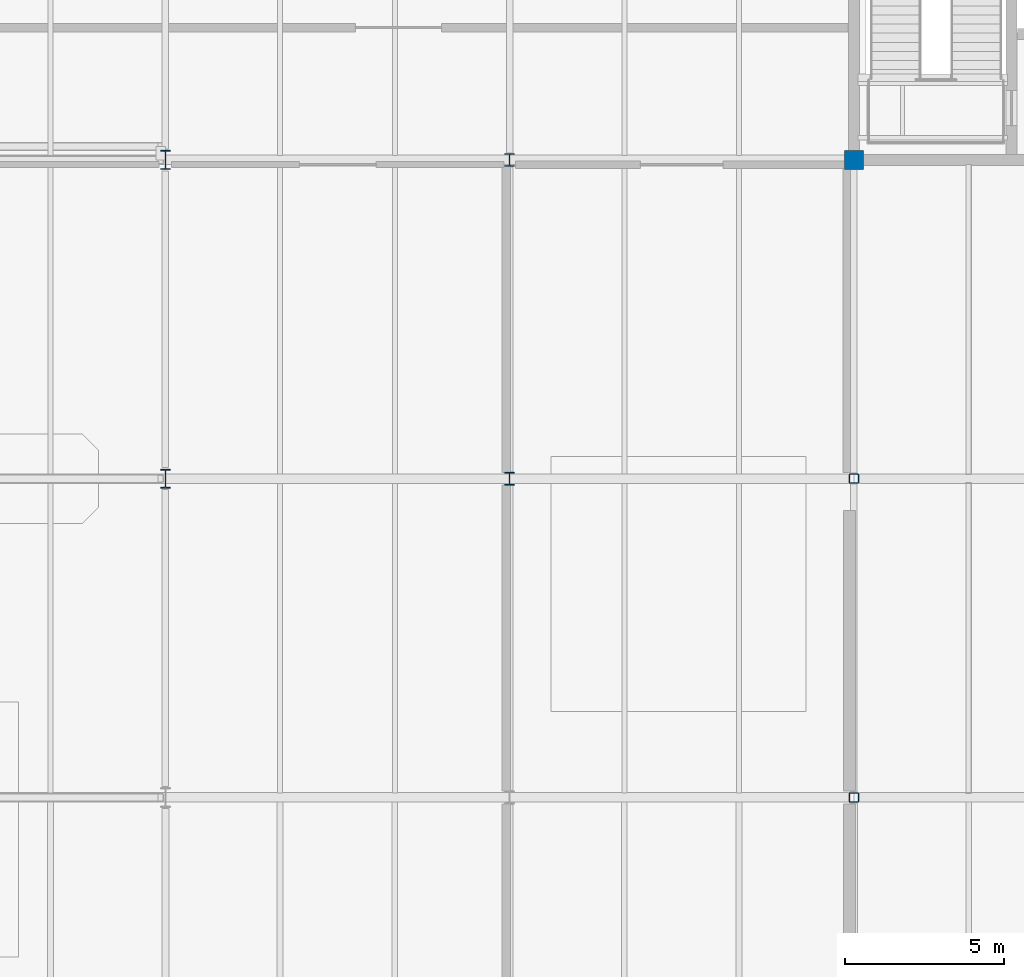
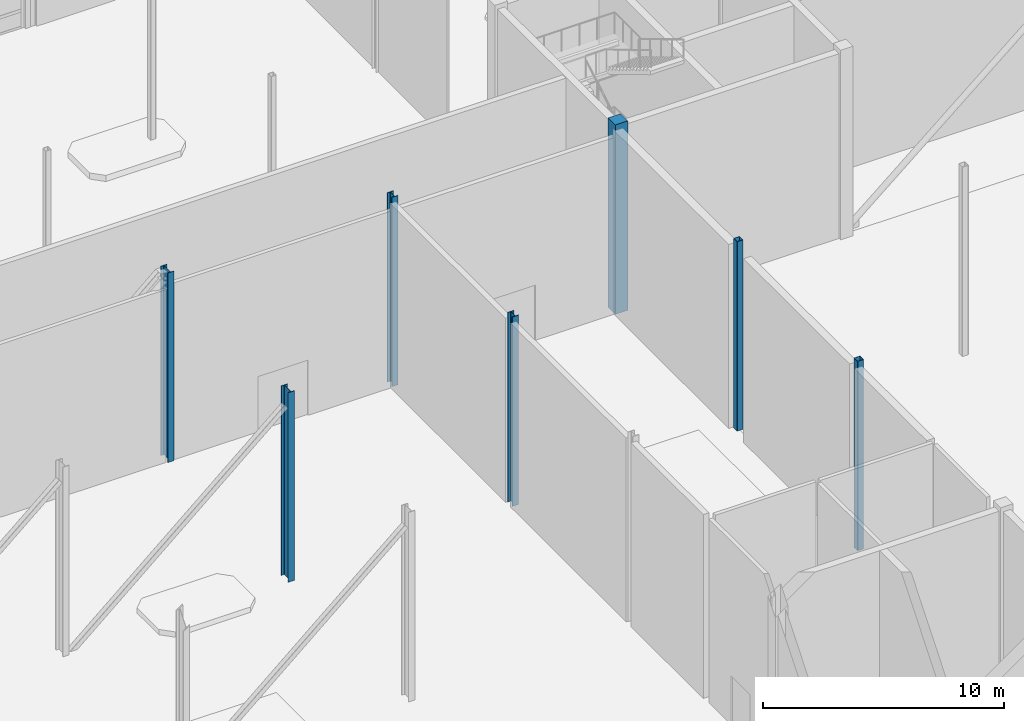
# One storey, part 3 of 100: 7 columns.
"""IFC4 building model written with IfcOpenShell, lengths in metres."""

from ifc_helpers import new_model, si_unit, direction, frame, origin, origin_2d, place, context, subcontext, project, spatial, rectangle, hollow_rectangle, i_section, extrude, material, material_profile, profile_set, type_object, element, save


model = new_model("IFC4")

# Units and contexts
model_context = context("Model", 3, precision=1e-05, world=origin(), true_north=direction((0.0, 1.0)))
body_context = subcontext(model_context, "Body", "Model", "MODEL_VIEW")
ifc_project = project(units=[si_unit("LENGTHUNIT", "METRE"), si_unit("AREAUNIT", "SQUARE_METRE"), si_unit("VOLUMEUNIT", "CUBIC_METRE"), si_unit("PLANEANGLEUNIT", "RADIAN"), si_unit("MASSUNIT", "GRAM", prefix="KILO")], contexts=[model_context])

# Site, building, storey
site_placement = place(None, origin())
site = spatial("IfcSite", under=ifc_project, at=site_placement, CompositionType="ELEMENT")
building_placement = place(site_placement, origin())
building = spatial("IfcBuilding", under=site, at=building_placement, Name="Tasgan Crest Museum", CompositionType="ELEMENT")
storey_placement = place(building_placement, frame((0.0, 0.0, 14.39990234375)))
storey = spatial("IfcBuildingStorey", under=building, at=storey_placement, Name="L03", CompositionType="ELEMENT", Elevation=14.39990234375)

# Columns
ifc_material_1 = material(Name="Steel S355J2", Category="steel")
ifc_material_profile_1 = material_profile(ifc_material_1, i_section(OverallWidth=0.300048828125, OverallDepth=0.39990234375, WebThickness=0.013427734375, FlangeThickness=0.02392578125, FilletRadius=0.027099609375, at=origin_2d()), Name="HEB 400")
ifc_profile_set_1 = profile_set([ifc_material_profile_1], Name="Steel S355J2")
column_type_1 = type_object("IfcColumnType", Name="COL-HEB400", PredefinedType="COLUMN", material=ifc_profile_set_1)
for number, where, z_axis, x_axis, name in (
    (1, (43.199951171875, 72.0, 0.0), (0.0, 0.0, 1.0), (1.0, 0.0, 0.0), "Column 5/H L03"),
    (2, (43.199951171875, 82.0, 0.0), (0.0, 0.0, 1.0), (1.0, 0.0, 0.0), "Column 5/J L03"),
):
    element("IfcColumn", number, at=place(storey_placement, frame(where, z_axis=z_axis, x_axis=x_axis)), inside=storey, type_object=column_type_1, Name=name, PredefinedType="COLUMN", context=body_context, shape_type="SweptSolid", body=[
        extrude(i_section(OverallWidth=0.300048828125, OverallDepth=0.39990234375, WebThickness=0.013427734375, FlangeThickness=0.02392578125, FilletRadius=0.027099609375, at=origin_2d()), origin(), (0.0, 0.0, 1.0), 9.60009765625),
    ])
ifc_material_2 = material(Name="Steel S355K2", Category="steel")
ifc_material_profile_2 = material_profile(ifc_material_2, i_section(OverallWidth=0.300048828125, OverallDepth=0.60009765625, WebThickness=0.015380859375, FlangeThickness=0.030029296875, FilletRadius=0.027099609375, at=origin_2d()), Name="HEB 600")
ifc_profile_set_2 = profile_set([ifc_material_profile_2], Name="Steel S355K2")
column_type_2 = type_object("IfcColumnType", Name="COL-HEB600", PredefinedType="COLUMN", material=ifc_profile_set_2)
for number, where, z_axis, x_axis, name in (
    (3, (32.39990234375, 72.0, 0.0), (0.0, 0.0, 1.0), (1.0, 0.0, 0.0), "Column 4/H L03"),
    (4, (32.39990234375, 82.0, 0.0), (0.0, 0.0, 1.0), (1.0, 0.0, 0.0), "Column 4/J L03"),
):
    element("IfcColumn", number, at=place(storey_placement, frame(where, z_axis=z_axis, x_axis=x_axis)), inside=storey, type_object=column_type_2, Name=name, PredefinedType="COLUMN", context=body_context, shape_type="SweptSolid", body=[
        extrude(i_section(OverallWidth=0.300048828125, OverallDepth=0.60009765625, WebThickness=0.015380859375, FlangeThickness=0.030029296875, FilletRadius=0.027099609375, at=origin_2d()), origin(), (0.0, 0.0, 1.0), 9.60009765625),
    ])
ifc_material_3 = material(Name="Concrete C40/50", Category="concrete")
ifc_material_profile_3 = material_profile(ifc_material_3, rectangle(XDim=0.60009765625, YDim=0.60009765625, at=origin_2d()), Name="RC 600x600")
ifc_profile_set_3 = profile_set([ifc_material_profile_3], Name="Concrete C40/50")
column_type_3 = type_object("IfcColumnType", Name="COL-RC600", PredefinedType="COLUMN", material=ifc_profile_set_3)
column_placement = place(storey_placement, frame((54.0, 82.0, 0.0), z_axis=(0.0, 0.0, 1.0), x_axis=(1.0, 0.0, 0.0)))
element("IfcColumn", 5, at=column_placement, inside=storey, type_object=column_type_3, Name="Column 6/J L03", PredefinedType="COLUMN", context=body_context, shape_type="SweptSolid", body=[
    extrude(rectangle(XDim=0.60009765625, YDim=0.60009765625, at=origin_2d()), origin(), (0.0, 0.0, 1.0), 9.60009765625),
])
ifc_material_4 = material(Name="Steel S355K2", Category="steel")
ifc_material_profile_4 = material_profile(ifc_material_4, hollow_rectangle(XDim=0.300048828125, YDim=0.300048828125, WallThickness=0.01611328125, InnerFilletRadius=0.01611328125, OuterFilletRadius=0.031982421875, at=origin_2d()), Name="SHS 300x300x16")
ifc_profile_set_4 = profile_set([ifc_material_profile_4], Name="Steel S355K2")
column_type_4 = type_object("IfcColumnType", Name="COL-SHS300", PredefinedType="COLUMN", material=ifc_profile_set_4)
for number, where, z_axis, x_axis, name in (
    (6, (54.0, 62.0, 0.0), (0.0, 0.0, 1.0), (1.0, 0.0, 0.0), "Column 6/G L03"),
    (7, (54.0, 72.0, 0.0), (0.0, 0.0, 1.0), (1.0, 0.0, 0.0), "Column 6/H L03"),
):
    element("IfcColumn", number, at=place(storey_placement, frame(where, z_axis=z_axis, x_axis=x_axis)), inside=storey, type_object=column_type_4, Name=name, PredefinedType="COLUMN", context=body_context, shape_type="SweptSolid", body=[
        extrude(hollow_rectangle(XDim=0.300048828125, YDim=0.300048828125, WallThickness=0.01611328125, InnerFilletRadius=0.01611328125, OuterFilletRadius=0.031982421875, at=origin_2d()), origin(), (0.0, 0.0, 1.0), 9.60009765625),
    ])

save(model, "model.ifc")
